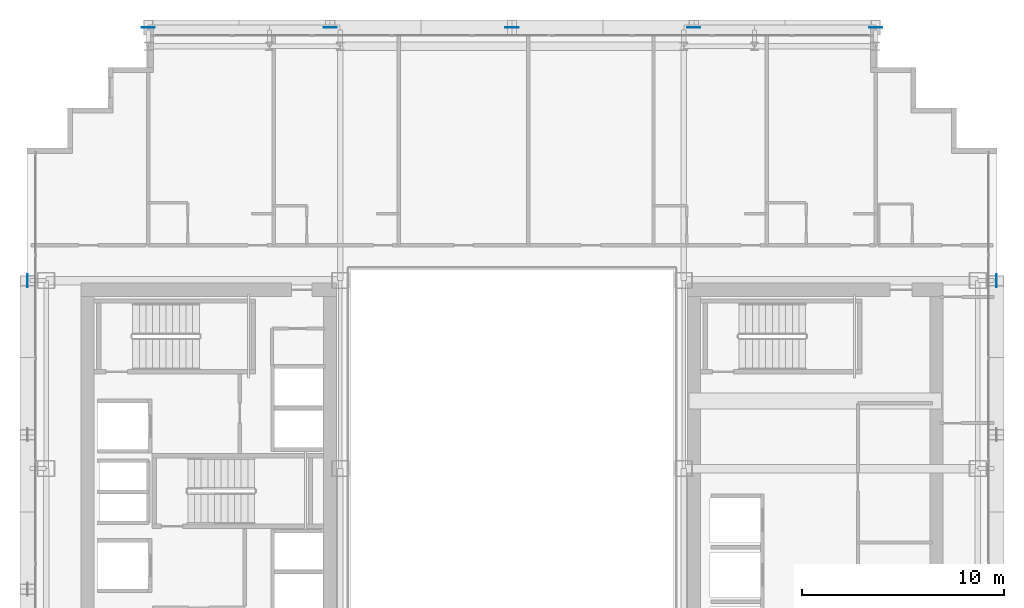
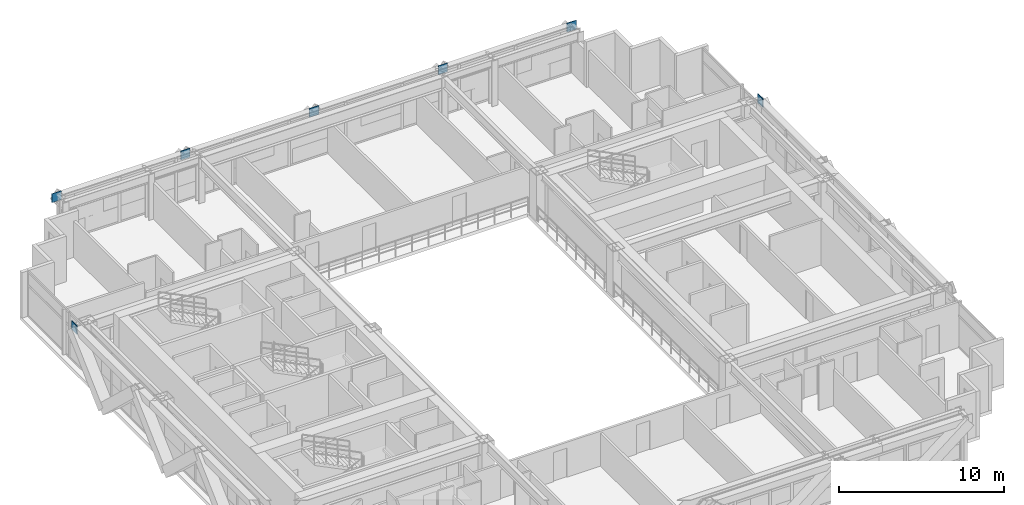
# One storey, part 26 of 35: 7 plates.
"""IFC4 building model written with IfcOpenShell, lengths in metres."""

import ifcopenshell
import ifcopenshell.guid

model = None  # the IFC model being written
_history = None  # IfcOwnerHistory: only IFC2X3 demands one
_inside = {}  # id of a spatial element -> (the spatial element, [elements in it])
_under = {}  # id of a project, library or spatial element -> (it, [spatial elements below it])
_declared = {}  # id of a project -> (the project, [libraries it declares])
_typed = {}  # id of a type object -> (the type object, [elements of that type])
_made_of = {}  # id of a material, layer set ... -> (it, [elements and type objects made of it])


def new_model(schema):
    """Start an empty IFC model of exactly this schema.

    Asked for "IFC4X3", IfcOpenShell would pick the latest addendum, in which some entities
    have other attributes; the version numbers below select the first issue.
    IFC2X3 requires an IfcOwnerHistory on every rooted entity: one is made here for all.
    """
    global model, _history
    if schema == "IFC4X3":
        model = ifcopenshell.file(schema_version=(4, 3, 0, 0))
    else:
        model = ifcopenshell.file(schema=schema)
    _inside.clear()
    _under.clear()
    _declared.clear()
    _typed.clear()
    _made_of.clear()
    _history = None
    if model.schema == "IFC2X3":
        org = make("IfcOrganization", Name="unknown")
        user = make(
            "IfcPersonAndOrganization",
            ThePerson=make("IfcPerson", FamilyName="unknown"),
            TheOrganization=org,
        )
        app = make(
            "IfcApplication",
            ApplicationDeveloper=org,
            Version="unknown",
            ApplicationFullName="unknown",
            ApplicationIdentifier="unknown",
        )
        _history = make(
            "IfcOwnerHistory",
            OwningUser=user,
            OwningApplication=app,
            ChangeAction="ADDED",
            CreationDate=0,
        )
    return model


def make(cls, **values):
    """One entity of the class cls with the attributes given. An attribute that is None is left unset."""
    return model.create_entity(
        cls, **{name: value for name, value in values.items() if value is not None}
    )


def rooted(cls, **values):
    """An entity with a GlobalId (a new one), such as an element, a storey or a relation."""
    return make(cls, GlobalId=ifcopenshell.guid.new(), OwnerHistory=_history, **values)


def si_unit(unit_type, name, prefix=None):
    """IfcSIUnit, for example si_unit("LENGTHUNIT", "METRE", prefix="MILLI")."""
    return make("IfcSIUnit", UnitType=unit_type, Prefix=prefix, Name=name)


def assignment(units):
    """IfcUnitAssignment: the units of a project."""
    return None if units is None else make("IfcUnitAssignment", Units=units)


def point(xyz):
    """IfcCartesianPoint."""
    return None if xyz is None else make("IfcCartesianPoint", Coordinates=xyz)


def direction(xyz):
    """IfcDirection."""
    return None if xyz is None else make("IfcDirection", DirectionRatios=xyz)


def frame(location, z_axis=None, x_axis=None):
    """IfcAxis2Placement3D, a coordinate frame: its origin and axes. An axis left out is left unset."""
    return make(
        "IfcAxis2Placement3D",
        Location=point(location),
        Axis=direction(z_axis),
        RefDirection=direction(x_axis),
    )


def frame_2d(location, x_axis=None):
    """IfcAxis2Placement2D, a coordinate frame in the plane: its origin and x axis."""
    return make(
        "IfcAxis2Placement2D", Location=point(location), RefDirection=direction(x_axis)
    )


def origin():
    """The frame at (0, 0, 0) with its axes left unset."""
    return frame((0.0, 0.0, 0.0))


def origin_2d():
    """The frame at (0, 0) in the plane with its x axis left unset."""
    return frame_2d((0.0, 0.0))


def place(relative_to, where):
    """IfcLocalPlacement: puts the frame where relative to a parent placement (None: the world)."""
    return make(
        "IfcLocalPlacement", PlacementRelTo=relative_to, RelativePlacement=where
    )


def context(
    kind, dimensions, precision=None, world=None, true_north=None, identifier=None
):
    """IfcGeometricRepresentationContext, for example the 3D "Model" context."""
    return make(
        "IfcGeometricRepresentationContext",
        ContextIdentifier=identifier,
        ContextType=kind,
        CoordinateSpaceDimension=dimensions,
        Precision=precision,
        WorldCoordinateSystem=world,
        TrueNorth=true_north,
    )


def subcontext(parent, identifier, kind, view, scale=None):
    """IfcGeometricRepresentationSubContext, for example "Body" below "Model"."""
    return make(
        "IfcGeometricRepresentationSubContext",
        ContextIdentifier=identifier,
        ContextType=kind,
        ParentContext=parent,
        TargetScale=scale,
        TargetView=view,
    )


def project(units=None, contexts=None):
    """IfcProject with its units and contexts."""
    return rooted(
        "IfcProject",
        Name="project",
        RepresentationContexts=contexts,
        UnitsInContext=assignment(units),
    )


def spatial(cls, under=None, at=None, **own):
    """A site, building, storey or space (cls), placed at a placement, below another one or the project."""
    s = rooted(cls, ObjectPlacement=at, **own)
    if under is not None:
        _under.setdefault(under.id(), (under, []))[1].append(s)
    return s


def profile(cls, at=None, kind="AREA", **sizes):
    """A parametric profile (cls). Its sizes go by their IFC names, for example OverallWidth=200.0."""
    return make(cls, ProfileType=kind, Position=at, **sizes)


def rectangle(**sizes):
    """IfcRectangleProfileDef."""
    return profile("IfcRectangleProfileDef", **sizes)


def extrude(swept, where, along, depth):
    """IfcExtrudedAreaSolid: the profile swept, set in the frame where, extruded along a direction by depth."""
    return make(
        "IfcExtrudedAreaSolid",
        SweptArea=swept,
        Position=where,
        ExtrudedDirection=direction(along),
        Depth=depth,
    )


def shape(context_of_items, identifier, shape_type, items):
    """IfcShapeRepresentation: the items that make up one representation, for example the "Body"."""
    return make(
        "IfcShapeRepresentation",
        ContextOfItems=context_of_items,
        RepresentationIdentifier=identifier,
        RepresentationType=shape_type,
        Items=items,
    )


def source(mapping_origin, context_of_items, identifier, shape_type, items):
    """IfcRepresentationMap: a shape defined once, which mapped items show again and again."""
    return make(
        "IfcRepresentationMap",
        MappingOrigin=mapping_origin,
        MappedRepresentation=shape(context_of_items, identifier, shape_type, items),
    )


def transform(
    local_origin,
    x_axis=None,
    y_axis=None,
    z_axis=None,
    scale=None,
    scale2=None,
    scale3=None,
    uniform=True,
):
    """IfcCartesianTransformationOperator3D, or its non-uniform kind. x_axis, y_axis, z_axis: its Axis1, 2, 3."""
    if uniform:
        return make(
            "IfcCartesianTransformationOperator3D",
            Axis1=direction(x_axis),
            Axis2=direction(y_axis),
            LocalOrigin=point(local_origin),
            Scale=scale,
            Axis3=direction(z_axis),
        )
    return make(
        "IfcCartesianTransformationOperator3DnonUniform",
        Axis1=direction(x_axis),
        Axis2=direction(y_axis),
        LocalOrigin=point(local_origin),
        Scale=scale,
        Axis3=direction(z_axis),
        Scale2=scale2,
        Scale3=scale3,
    )


def mapped(mapping_source, mapping_target):
    """IfcMappedItem: shows the shape of a source again, moved by a transform."""
    return make(
        "IfcMappedItem", MappingSource=mapping_source, MappingTarget=mapping_target
    )


def material(Name=None, Category=None):
    """IfcMaterial."""
    return make("IfcMaterial", Name=Name, Category=Category)


def layer(
    of_material, thickness, ventilated=None, Name=None, Category=None, Priority=None
):
    """IfcMaterialLayer: one layer of a wall or slab, of a material (None: an air gap)."""
    return make(
        "IfcMaterialLayer",
        Material=of_material,
        LayerThickness=thickness,
        IsVentilated=ventilated,
        Name=Name,
        Category=Category,
        Priority=Priority,
    )


def layer_set(layers, Name=None):
    """IfcMaterialLayerSet."""
    return make("IfcMaterialLayerSet", MaterialLayers=layers, LayerSetName=Name)


def made_of(thing, what):
    """Note that an element or type object is made of a material, layer set ...; save() writes the relation."""
    if what is not None:
        _made_of.setdefault(what.id(), (what, []))[1].append(thing)
    return thing


def type_object(cls, material=None, **own):
    """A type object (cls), such as IfcWallType, which elements share."""
    return made_of(rooted(cls, **own), material)


def element(
    cls,
    number,
    at=None,
    inside=None,
    cuts=None,
    type_object=None,
    material=None,
    context=None,
    identifier="Body",
    shape_type=None,
    held_by="IfcProductDefinitionShape",
    body=None,
    shapes=None,
    **own,
):
    """One element of the class cls, such as IfcWall. Its Tag is "e" and its number.

    at: its placement. inside: the storey or other place that contains it. cuts: it is an
    opening in that element (IfcRelVoidsElement). A single representation is given by context,
    identifier, shape_type and body (its items); several are given by shapes. held_by: the class
    of the entity that holds the representations. save() writes the other relations.
    """
    e = rooted(cls, Tag="e%d" % number, ObjectPlacement=at, **own)
    if body is not None:
        shapes = [shape(context, identifier, shape_type, body)]
    if shapes is not None:
        e.Representation = make(held_by, Representations=shapes)
    if inside is not None:
        _inside.setdefault(inside.id(), (inside, []))[1].append(e)
    if cuts is not None:
        rooted(
            "IfcRelVoidsElement", RelatingBuildingElement=cuts, RelatedOpeningElement=e
        )
    if type_object is not None:
        _typed.setdefault(type_object.id(), (type_object, []))[1].append(e)
    return made_of(e, material)


def aggregate(whole, parts):
    """IfcRelAggregates: a whole, such as a stair, and the parts it consists of."""
    return rooted("IfcRelAggregates", RelatingObject=whole, RelatedObjects=parts)


def save(model, path):
    """Write the relations noted so far, then the file.

    IfcRelAggregates (storeys below a building ...), IfcRelContainedInSpatialStructure (elements
    in a storey), IfcRelDefinesByType, IfcRelAssociatesMaterial and IfcRelDeclares: one each for
    every whole, place, type object, material and project.
    """
    for whole, parts in _under.values():
        aggregate(whole, parts)
    for where, things in _inside.values():
        rooted(
            "IfcRelContainedInSpatialStructure",
            RelatedElements=things,
            RelatingStructure=where,
        )
    for kind, things in _typed.values():
        rooted("IfcRelDefinesByType", RelatedObjects=things, RelatingType=kind)
    for what, things in _made_of.values():
        rooted("IfcRelAssociatesMaterial", RelatedObjects=things, RelatingMaterial=what)
    for by, libraries in _declared.values():
        rooted("IfcRelDeclares", RelatingContext=by, RelatedDefinitions=libraries)
    model.write(path)


model = new_model("IFC4")

# Units and contexts
model_context = context("Model", 3, precision=1e-05, world=origin(), true_north=direction((0.0, 1.0)))
body_context = subcontext(model_context, "Body", "Model", "MODEL_VIEW")
ifc_project = project(units=[si_unit("LENGTHUNIT", "METRE"), si_unit("AREAUNIT", "SQUARE_METRE"), si_unit("VOLUMEUNIT", "CUBIC_METRE"), si_unit("PLANEANGLEUNIT", "RADIAN"), si_unit("MASSUNIT", "GRAM", prefix="KILO")], contexts=[model_context])

# Site, building, storey
site_placement = place(None, origin())
site = spatial("IfcSite", under=ifc_project, at=site_placement, CompositionType="ELEMENT")
building_placement = place(site_placement, origin())
building = spatial("IfcBuilding", under=site, at=building_placement, Name="Ocotamira Hotel", CompositionType="ELEMENT")
storey_placement = place(building_placement, frame((0.0, 0.0, 122.39990234375)))
storey = spatial("IfcBuildingStorey", under=building, at=storey_placement, Name="L30", CompositionType="ELEMENT", Elevation=122.39990234375)

# Plates
ifc_material = material(Name="Pale-metal coated steel ASTM A572 Grade 50", Category="steel")
ifc_layer = layer(ifc_material, 0.0400390625)
ifc_layer_set = layer_set([ifc_layer], Name="Pale-metal coated steel ASTM A572 Grade 50")
plate_type = type_object("IfcPlateType", Name="PLT-GUSSET-40", PredefinedType="SHEET", material=ifc_layer_set)
shared_shape_1 = source(origin(), body_context, "Body", "SweptSolid", [
    extrude(rectangle(XDim=0.64990234375, YDim=0.0400390625, at=origin_2d()), origin(), (0.0, 0.0, 1.0), 0.64990234375),
])
for number, where, z_axis, x_axis, name in (
    (1, (14.0, 49.969970703125, 2.78515625), (0.0, 0.0, 1.0), (-1.0, 0.0, 0.0), "L30 Exoskeleton Diagrid N0.1 End Gusset B"),
    (2, (23.0, 49.969970703125, 2.78515625), (0.0, 0.0, 1.0), (1.0, 0.0, 0.0), "L30 Exoskeleton Diagrid N0.2 End Gusset B"),
    (3, (32.0, 49.969970703125, 2.78515625), (0.0, 0.0, 1.0), (1.0, 0.0, 0.0), "L30 Exoskeleton Diagrid N1.2 End Gusset B"),
    (4, (41.0, 49.969970703125, 2.78515625), (0.0, 0.0, 1.0), (1.0, 0.0, 0.0), "L30 Exoskeleton Diagrid N2.2 End Gusset B"),
    (5, (50.0, 49.969970703125, 2.78515625), (0.0, 0.0, 1.0), (1.0, 0.0, 0.0), "L30 Exoskeleton Diagrid N3.2 End Gusset B"),
):
    element("IfcPlate", number, at=place(storey_placement, frame(where, z_axis=z_axis, x_axis=x_axis)), inside=storey, type_object=plate_type, Name=name, PredefinedType="SHEET", context=body_context, shape_type="MappedRepresentation", body=[
        mapped(shared_shape_1, transform((0.0, 0.0, 0.0), scale=1.0)),
    ])
shared_shape_2 = source(origin(), body_context, "Body", "SweptSolid", [
    extrude(rectangle(XDim=0.0400390625, YDim=0.64990234375, at=origin_2d()), origin(), (0.0, 0.0, 1.0), 0.64990234375),
])
for number, where, z_axis, x_axis, name in (
    (6, (8.030029296875, 37.449951171875, 2.78515625), (0.0, 0.0, 1.0), (1.0, 0.0, 0.0), "L30 Exoskeleton Diagrid W2.2 End Gusset B"),
    (7, (55.969970703125, 37.449951171875, 2.78515625), (0.0, 0.0, 1.0), (1.0, 0.0, 0.0), "L30 Exoskeleton Diagrid E2.2 End Gusset B"),
):
    element("IfcPlate", number, at=place(storey_placement, frame(where, z_axis=z_axis, x_axis=x_axis)), inside=storey, type_object=plate_type, Name=name, PredefinedType="SHEET", context=body_context, shape_type="MappedRepresentation", body=[
        mapped(shared_shape_2, transform((0.0, 0.0, 0.0), scale=1.0)),
    ])

save(model, "model.ifc")
